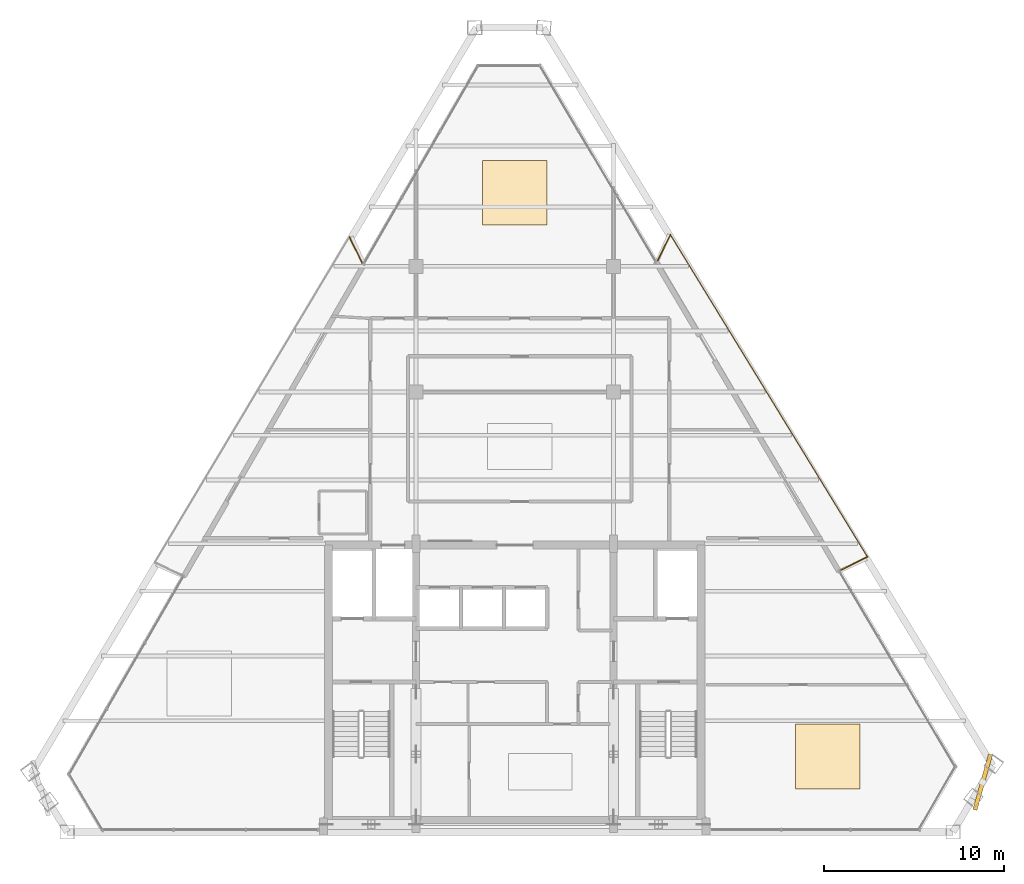
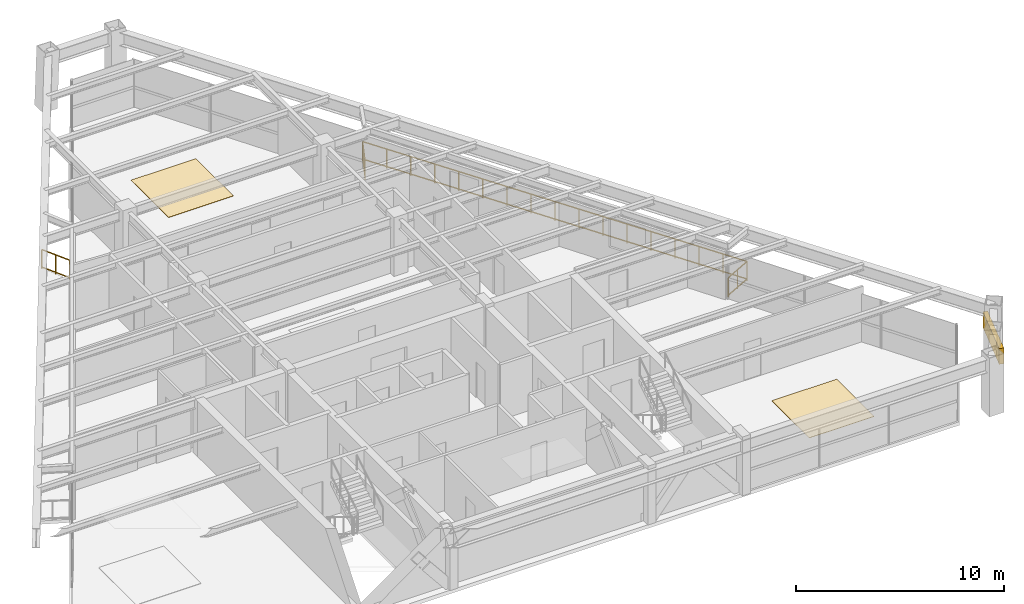
# One storey, part 13 of 13: 4 railings, 2 coverings, 1 shading device.
"""IFC4 building model written with IfcOpenShell, lengths in metres."""

from ifc_helpers import new_model, si_unit, direction, frame, origin, origin_2d, place, context, subcontext, project, spatial, rectangle, extrude, source, transform, mapped, material, layer, layer_set, type_object, type_shapes, element, save


model = new_model("IFC4")

# Units and contexts
model_context = context("Model", 3, precision=1e-05, world=origin(), true_north=direction((0.0, 1.0)))
body_context = subcontext(model_context, "Body", "Model", "MODEL_VIEW")
ifc_project = project(units=[si_unit("LENGTHUNIT", "METRE"), si_unit("AREAUNIT", "SQUARE_METRE"), si_unit("VOLUMEUNIT", "CUBIC_METRE"), si_unit("PLANEANGLEUNIT", "RADIAN"), si_unit("MASSUNIT", "GRAM", prefix="KILO")], contexts=[model_context])

# Site, building, storey
site_placement = place(None, origin())
site = spatial("IfcSite", under=ifc_project, at=site_placement, CompositionType="ELEMENT")
building_placement = place(site_placement, origin())
building = spatial("IfcBuilding", under=site, at=building_placement, Name="Varnakhor Terracotta Tower", CompositionType="ELEMENT")
storey_placement = place(building_placement, frame((0.0, 0.0, 276.449951171875)))
storey = spatial("IfcBuildingStorey", under=building, at=storey_placement, Name="L72", CompositionType="ELEMENT", Elevation=276.449951171875)

# Railings
ifc_material_1 = material(Name="Stainless Steel & Laminated Glass Guardrail", Category="steel")
railing_type = type_object("IfcRailingType", Name="RLG-LOGGIA-GUARD-1150", PredefinedType="GUARDRAIL", material=ifc_material_1)
railing_1_placement = place(storey_placement, frame((7.963623046875, 31.818359375, 0.0)))
element("IfcRailing", 1, at=railing_1_placement, inside=storey, type_object=railing_type, Name="L72 E Loggia Glass Guard 1", PredefinedType="GUARDRAIL", context=body_context, shape_type="SweptSolid", body=[
    extrude(rectangle(XDim=0.048095703125, YDim=0.048095703125, at=origin_2d()), frame((0.0, 0.0, 1.1259765625), z_axis=(0.437732361847, 0.899105321634, 0.0), x_axis=(-0.899105321634, 0.437732361847, 0.0)), (0.0, 0.0, 1.0), 1.600830078125),
    extrude(rectangle(XDim=0.048095703125, YDim=0.048095703125, at=origin_2d()), frame((0.0, 0.0, 0.10009765625), z_axis=(0.437732361847, 0.899105321634, 0.0), x_axis=(-0.899105321634, 0.437732361847, 0.0)), (0.0, 0.0, 1.0), 1.600830078125),
    extrude(rectangle(XDim=0.0419921875, YDim=0.0419921875, at=origin_2d()), origin(), (0.0, 0.0, 1.0), 1.101806640625),
    extrude(rectangle(XDim=0.0419921875, YDim=0.0419921875, at=origin_2d()), frame((0.350341796875, 0.7197265625, 0.0)), (0.0, 0.0, 1.0), 1.101806640625),
    extrude(rectangle(XDim=0.0419921875, YDim=0.0419921875, at=origin_2d()), frame((0.70068359375, 1.439208984375, 0.0)), (0.0, 0.0, 1.0), 1.101806640625),
])
railing_2_placement = place(storey_placement, frame((8.664306640625, 33.257568359375, 0.0)))
element("IfcRailing", 2, at=railing_2_placement, inside=storey, type_object=railing_type, Name="L72 E Loggia Glass Guard 2", PredefinedType="GUARDRAIL", context=body_context, shape_type="SweptSolid", body=[
    extrude(rectangle(XDim=0.048095703125, YDim=0.048095703125, at=origin_2d()), frame((0.0, 0.0, 1.1259765625), z_axis=(0.521799101209, -0.853068401699, 0.0), x_axis=(0.853068401699, 0.521799101209, 0.0)), (0.0, 0.0, 1.0), 21.015869140625),
    extrude(rectangle(XDim=0.048095703125, YDim=0.048095703125, at=origin_2d()), frame((0.0, 0.0, 0.10009765625), z_axis=(0.521799101209, -0.853068401699, 0.0), x_axis=(0.853068401699, 0.521799101209, 0.0)), (0.0, 0.0, 1.0), 21.015869140625),
    extrude(rectangle(XDim=0.0419921875, YDim=0.0419921875, at=origin_2d()), origin(), (0.0, 0.0, 1.0), 1.101806640625),
    extrude(rectangle(XDim=0.0419921875, YDim=0.0419921875, at=origin_2d()), frame((0.685302734375, -1.12060546875, 0.0)), (0.0, 0.0, 1.0), 1.101806640625),
    extrude(rectangle(XDim=0.0419921875, YDim=0.0419921875, at=origin_2d()), frame((1.370849609375, -2.240966796875, 0.0)), (0.0, 0.0, 1.0), 1.101806640625),
    extrude(rectangle(XDim=0.0419921875, YDim=0.0419921875, at=origin_2d()), frame((2.05615234375, -3.361572265625, 0.0)), (0.0, 0.0, 1.0), 1.101806640625),
    extrude(rectangle(XDim=0.0419921875, YDim=0.0419921875, at=origin_2d()), frame((2.741455078125, -4.48193359375, 0.0)), (0.0, 0.0, 1.0), 1.101806640625),
    extrude(rectangle(XDim=0.0419921875, YDim=0.0419921875, at=origin_2d()), frame((3.427001953125, -5.6025390625, 0.0)), (0.0, 0.0, 1.0), 1.101806640625),
    extrude(rectangle(XDim=0.0419921875, YDim=0.0419921875, at=origin_2d()), frame((4.1123046875, -6.722900390625, 0.0)), (0.0, 0.0, 1.0), 1.101806640625),
    extrude(rectangle(XDim=0.0419921875, YDim=0.0419921875, at=origin_2d()), frame((4.797607421875, -7.843505859375, 0.0)), (0.0, 0.0, 1.0), 1.101806640625),
    extrude(rectangle(XDim=0.0419921875, YDim=0.0419921875, at=origin_2d()), frame((5.48291015625, -8.9638671875, 0.0)), (0.0, 0.0, 1.0), 1.101806640625),
    extrude(rectangle(XDim=0.0419921875, YDim=0.0419921875, at=origin_2d()), frame((6.16845703125, -10.08447265625, 0.0)), (0.0, 0.0, 1.0), 1.101806640625),
    extrude(rectangle(XDim=0.0419921875, YDim=0.0419921875, at=origin_2d()), frame((6.853759765625, -11.205078125, 0.0)), (0.0, 0.0, 1.0), 1.101806640625),
    extrude(rectangle(XDim=0.0419921875, YDim=0.0419921875, at=origin_2d()), frame((7.5390625, -12.325439453125, 0.0)), (0.0, 0.0, 1.0), 1.101806640625),
    extrude(rectangle(XDim=0.0419921875, YDim=0.0419921875, at=origin_2d()), frame((8.224609375, -13.446044921875, 0.0)), (0.0, 0.0, 1.0), 1.101806640625),
    extrude(rectangle(XDim=0.0419921875, YDim=0.0419921875, at=origin_2d()), frame((8.909912109375, -14.56640625, 0.0)), (0.0, 0.0, 1.0), 1.101806640625),
    extrude(rectangle(XDim=0.0419921875, YDim=0.0419921875, at=origin_2d()), frame((9.59521484375, -15.68701171875, 0.0)), (0.0, 0.0, 1.0), 1.101806640625),
    extrude(rectangle(XDim=0.0419921875, YDim=0.0419921875, at=origin_2d()), frame((10.28076171875, -16.807373046875, 0.0)), (0.0, 0.0, 1.0), 1.101806640625),
    extrude(rectangle(XDim=0.0419921875, YDim=0.0419921875, at=origin_2d()), frame((10.966064453125, -17.927978515625, 0.0)), (0.0, 0.0, 1.0), 1.101806640625),
])
railing_3_placement = place(storey_placement, frame((19.63037109375, 15.32958984375, 0.0)))
element("IfcRailing", 3, at=railing_3_placement, inside=storey, type_object=railing_type, Name="L72 E Loggia Glass Guard 3", PredefinedType="GUARDRAIL", context=body_context, shape_type="SweptSolid", body=[
    extrude(rectangle(XDim=0.048095703125, YDim=0.048095703125, at=origin_2d()), frame((0.0, 0.0, 1.1259765625), z_axis=(-0.894158737709, -0.447750099696, 0.0), x_axis=(0.447750099696, -0.894158737709, 0.0)), (0.0, 0.0, 1.0), 1.637939453125),
    extrude(rectangle(XDim=0.048095703125, YDim=0.048095703125, at=origin_2d()), frame((0.0, 0.0, 0.10009765625), z_axis=(-0.894158737709, -0.447750099696, 0.0), x_axis=(0.447750099696, -0.894158737709, 0.0)), (0.0, 0.0, 1.0), 1.637939453125),
    extrude(rectangle(XDim=0.0419921875, YDim=0.0419921875, at=origin_2d()), origin(), (0.0, 0.0, 1.0), 1.101806640625),
    extrude(rectangle(XDim=0.0419921875, YDim=0.0419921875, at=origin_2d()), frame((-0.732421875, -0.36669921875, 0.0)), (0.0, 0.0, 1.0), 1.101806640625),
    extrude(rectangle(XDim=0.0419921875, YDim=0.0419921875, at=origin_2d()), frame((-1.464599609375, -0.7333984375, 0.0)), (0.0, 0.0, 1.0), 1.101806640625),
])
railing_4_placement = place(storey_placement, frame((-9.2119140625, 33.135986328125, 0.0)))
element("IfcRailing", 4, at=railing_4_placement, inside=storey, type_object=railing_type, Name="L72 W Loggia Glass Guard 3", PredefinedType="GUARDRAIL", context=body_context, shape_type="SweptSolid", body=[
    extrude(rectangle(XDim=0.048095703125, YDim=0.048095703125, at=origin_2d()), frame((0.0, 0.0, 1.1259765625), z_axis=(0.441642392163, -0.897191171069, 0.0), x_axis=(0.897191171069, 0.441642392163, 0.0)), (0.0, 0.0, 1.0), 1.59765625),
    extrude(rectangle(XDim=0.048095703125, YDim=0.048095703125, at=origin_2d()), frame((0.0, 0.0, 0.10009765625), z_axis=(0.441642392163, -0.897191171069, 0.0), x_axis=(0.897191171069, 0.441642392163, 0.0)), (0.0, 0.0, 1.0), 1.59765625),
    extrude(rectangle(XDim=0.0419921875, YDim=0.0419921875, at=origin_2d()), origin(), (0.0, 0.0, 1.0), 1.101806640625),
    extrude(rectangle(XDim=0.0419921875, YDim=0.0419921875, at=origin_2d()), frame((0.352783203125, -0.716796875, 0.0)), (0.0, 0.0, 1.0), 1.101806640625),
    extrude(rectangle(XDim=0.0419921875, YDim=0.0419921875, at=origin_2d()), frame((0.70556640625, -1.433349609375, 0.0)), (0.0, 0.0, 1.0), 1.101806640625),
])

# Shading device
ifc_material_2 = material(Name="Extruded Architectural Terracotta Screen", Category="masonry")
shading_device_type = type_object("IfcShadingDeviceType", Name="TERRACOTTA SOLAR SCREEN E", PredefinedType="USERDEFINED", material=ifc_material_2)
shared_shape_1 = source(origin(), body_context, "Body", "SweptSolid", [
    extrude(rectangle(XDim=3.199951171875, YDim=0.239990234375, at=origin_2d()), origin(), (0.0, 0.0, 1.0), 0.919921875),
])
type_shapes(shading_device_type, [shared_shape_1])
shading_device_placement = place(storey_placement, frame((26.055419921875, 2.774658203125, 1.56201171875), z_axis=(0.0, 0.0, 1.0), x_axis=(0.272666484151, 0.962108615709, 0.0)))
element("IfcShadingDevice", 5, at=shading_device_placement, inside=storey, type_object=shading_device_type, Name="L72 E Terracotta Solar Screen", ObjectType="SCREEN", PredefinedType="USERDEFINED", context=body_context, shape_type="MappedRepresentation", body=[
    mapped(shared_shape_1, transform((0.0, 0.0, 0.0), scale=1.0)),
])

# Coverings
ifc_material_3 = material(Name="Honed Riyadh Limestone Flooring", Category="masonry")
ifc_layer = layer(ifc_material_3, 0.030029296875, Name="Honed Riyadh Limestone Flooring")
ifc_layer_set = layer_set([ifc_layer], Name="Honed Riyadh Limestone Flooring")
covering_type = type_object("IfcCoveringType", Name="COV-FLOOR-LIMESTONE", PredefinedType="FLOORING", material=ifc_layer_set)
shared_shape_2 = source(origin(), body_context, "Body", "SweptSolid", [
    extrude(rectangle(XDim=3.60009765625, YDim=3.60009765625, at=origin_2d()), origin(), (0.0, 0.0, 1.0), 0.02001953125),
])
for number, where, z_axis, x_axis, name in (
    (6, (17.425048828125, 4.2041015625, 0.0), (0.0, 0.0, 1.0), (1.0, 0.0, 0.0), "L72 Honed Stone Flooring 3"),
    (7, (0.0, 35.597900390625, 0.0), (0.0, 0.0, 1.0), (1.0, 0.0, 0.0), "L72 Honed Stone Flooring 5"),
):
    element("IfcCovering", number, at=place(storey_placement, frame(where, z_axis=z_axis, x_axis=x_axis)), inside=storey, type_object=covering_type, Name=name, PredefinedType="FLOORING", context=body_context, shape_type="MappedRepresentation", body=[
        mapped(shared_shape_2, transform((0.0, 0.0, 0.0), scale=1.0)),
    ])

save(model, "model.ifc")
